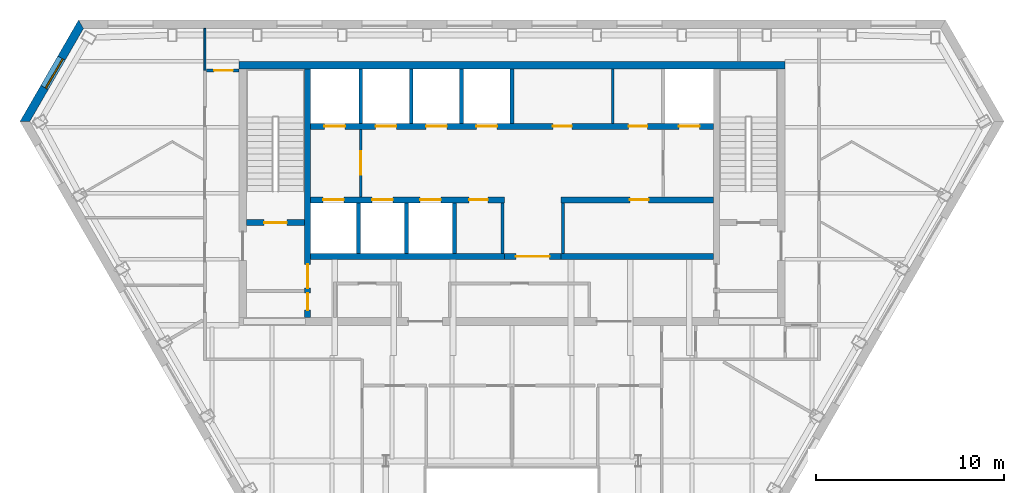
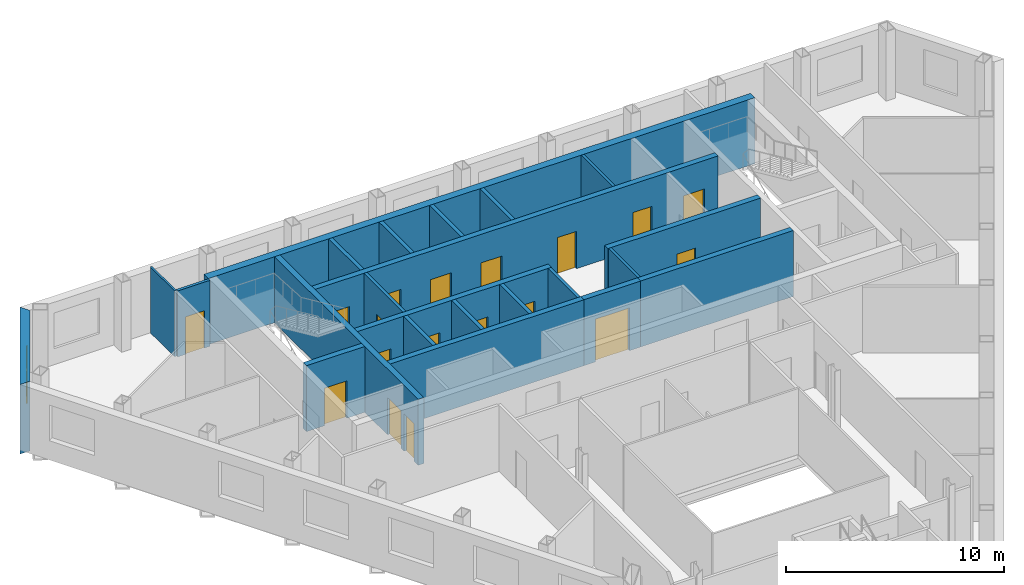
# One storey, part 6 of 10: 23 walls, 18 doors, 1 window, 19 openings.
"""IFC4 building model written with IfcOpenShell, lengths in metres."""

from ifc_helpers import new_model, si_unit, direction, frame, frame_2d, origin, place, context, subcontext, project, spatial, polyline, rectangle, outline, extrude, material, layer, layer_set, type_object, element, fill, save


model = new_model("IFC4")

# Units and contexts
model_context = context("Model", 3, precision=1e-05, world=origin(), true_north=direction((0.0, 1.0)))
body_context = subcontext(model_context, "Body", "Model", "MODEL_VIEW")
ifc_project = project(units=[si_unit("LENGTHUNIT", "METRE"), si_unit("AREAUNIT", "SQUARE_METRE"), si_unit("VOLUMEUNIT", "CUBIC_METRE"), si_unit("PLANEANGLEUNIT", "RADIAN"), si_unit("MASSUNIT", "GRAM", prefix="KILO")], contexts=[model_context])

# Site, building, storey
site_placement = place(None, origin())
site = spatial("IfcSite", under=ifc_project, at=site_placement, CompositionType="ELEMENT")
building_placement = place(site_placement, origin())
building = spatial("IfcBuilding", under=site, at=building_placement, Name="Njiva Tower", CompositionType="ELEMENT")
storey_placement = place(building_placement, frame((0.0, 0.0, 245.4)))
storey = spatial("IfcBuildingStorey", under=building, at=storey_placement, Name="L55", CompositionType="ELEMENT", Elevation=245.4)

# Walls
ifc_material_1 = material(Name="Blockwork", Category="masonry")
ifc_layer_1 = layer(ifc_material_1, 0.15)
ifc_layer_set_1 = layer_set([ifc_layer_1], Name="Blockwork")
wall_type_1 = type_object("IfcWallType", Name="WT1 Compartment partition 150", PredefinedType="PARTITIONING", material=ifc_layer_set_1)
wall_1_placement = place(storey_placement, frame((5.35, 14.7, 0.0), z_axis=(0.0, 0.0, 1.0), x_axis=(0.0, 1.0, 0.0)))
element("IfcWall", 1, at=wall_1_placement, inside=storey, type_object=wall_type_1, Name="Partition CN6", PredefinedType="PARTITIONING", context=body_context, shape_type="SweptSolid", body=[
    extrude(rectangle(XDim=2.9, YDim=0.15, at=frame_2d((1.45, 0.0))), origin(), (0.0, 0.0, 1.0), 3.7),
])
for number, where, z_axis, x_axis, name in (
    (2, (-0.5, 7.8, 0.0), (0.0, 0.0, 1.0), (0.0, 1.0, 0.0), "Partition CS4"),
    (3, (2.7, 7.8, 0.0), (0.0, 0.0, 1.0), (0.0, 1.0, 0.0), "Partition CS5"),
):
    element("IfcWall", number, at=place(storey_placement, frame(where, z_axis=z_axis, x_axis=x_axis)), inside=storey, type_object=wall_type_1, Name=name, PredefinedType="PARTITIONING", context=body_context, shape_type="SweptSolid", body=[
        extrude(rectangle(XDim=2.7, YDim=0.15, at=frame_2d((1.35, 0.0))), origin(), (0.0, 0.0, 1.0), 3.7),
    ])

# Wall, openings, doors
ifc_material_2 = material(Name="Concrete C40/50", Category="concrete")
ifc_layer_2 = layer(ifc_material_2, 0.3)
ifc_layer_set_2 = layer_set([ifc_layer_2], Name="Concrete C40/50")
wall_type_2 = type_object("IfcWallType", Name="WT10 Stair enclosure wall 300", PredefinedType="SHEAR", material=ifc_layer_set_2)
wall_2_placement = place(storey_placement, frame((-10.85, 4.4, 0.0), z_axis=(0.0, 0.0, 1.0), x_axis=(0.0, 1.0, 0.0)))
wall_2 = element("IfcWall", 4, at=wall_2_placement, inside=storey, type_object=wall_type_2, Name="Stair wall west inner", PredefinedType="SHEAR", context=body_context, shape_type="SweptSolid", body=[
    extrude(rectangle(XDim=13.2, YDim=0.3, at=frame_2d((6.6, 0.0))), origin(), (0.0, 0.0, 1.0), 3.7),
])
opening_1_placement = place(wall_2_placement, frame((1.575, 0.0, 0.0)))
opening_1 = element("IfcOpeningElement", 5, at=opening_1_placement, cuts=wall_2, Name="Opening S18-D915", PredefinedType="OPENING", context=body_context, shape_type="SweptSolid", body=[
    extrude(rectangle(XDim=1.25, YDim=2.1, at=frame_2d((0.625, 1.05))), frame((0.0, 0.16, 0.0), z_axis=(0.0, -1.0, 0.0), x_axis=(1.0, 0.0, 0.0)), (0.0, 0.0, 1.0), 0.32),
])
opening_2_placement = place(wall_2_placement, frame((0.4, 0.0, 0.0)))
opening_2 = element("IfcOpeningElement", 6, at=opening_2_placement, cuts=wall_2, Name="Opening S18-D917", PredefinedType="OPENING", context=body_context, shape_type="SweptSolid", body=[
    extrude(rectangle(XDim=0.9, YDim=2.1, at=frame_2d((0.45, 1.05))), frame((0.0, 0.16, 0.0), z_axis=(0.0, -1.0, 0.0), x_axis=(1.0, 0.0, 0.0)), (0.0, 0.0, 1.0), 0.32),
])
ifc_material_3 = material(Name="Steel door, painted", Category="steel")
door_type_1 = type_object("IfcDoorType", Name="D13 Steel door 900x2100", OperationType="SINGLE_SWING_LEFT", PredefinedType="DOOR", material=ifc_material_3)
door_1_placement = place(opening_2_placement, origin())
door_1 = element("IfcDoor", 7, at=door_1_placement, inside=storey, type_object=door_type_1, Name="Prayer room door", OperationType="SINGLE_SWING_RIGHT", OverallHeight=2.1, OverallWidth=0.9, PredefinedType="DOOR", context=body_context, shape_type="SweptSolid", body=[
    extrude(rectangle(XDim=0.9, YDim=2.1, at=frame_2d((0.45, 1.05))), frame((0.0, 0.025, 0.0), z_axis=(0.0, -1.0, 0.0), x_axis=(1.0, 0.0, 0.0)), (0.0, 0.0, 1.0), 0.05),
])
fill(opening_2, door_1)
ifc_material_4 = material(Name="Glazed steel fire door", Category="steel")
door_type_2 = type_object("IfcDoorType", Name="D8 Vestibule corridor door 1250x2100 glazed", OperationType="SINGLE_SWING_LEFT", PredefinedType="DOOR", material=ifc_material_4)
door_2_placement = place(opening_1_placement, origin())
door_2 = element("IfcDoor", 8, at=door_2_placement, inside=storey, type_object=door_type_2, Name="Stair vestibule corridor door", OperationType="SINGLE_SWING_LEFT", OverallHeight=2.1, OverallWidth=1.25, PredefinedType="DOOR", context=body_context, shape_type="SweptSolid", body=[
    extrude(rectangle(XDim=1.25, YDim=2.1, at=frame_2d((0.625, 1.05))), frame((0.0, 0.025, 0.0), z_axis=(0.0, -1.0, 0.0), x_axis=(1.0, 0.0, 0.0)), (0.0, 0.0, 1.0), 0.05),
])
fill(opening_1, door_2)

# Wall, opening, door
wall_3_placement = place(storey_placement, frame((-14.1, 9.45, 0.0), z_axis=(0.0, 0.0, 1.0), x_axis=(1.0, 0.0, 0.0)))
wall_3 = element("IfcWall", 9, at=wall_3_placement, inside=storey, type_object=wall_type_2, Name="Stair A south wall", PredefinedType="SHEAR", context=body_context, shape_type="SweptSolid", body=[
    extrude(rectangle(XDim=3.1, YDim=0.3, at=frame_2d((1.55, 0.0))), origin(), (0.0, 0.0, 1.0), 3.7),
])
opening_3_placement = place(wall_3_placement, frame((0.95, 0.0, 0.0)))
opening_3 = element("IfcOpeningElement", 10, at=opening_3_placement, cuts=wall_3, Name="Opening S18-D914", PredefinedType="OPENING", context=body_context, shape_type="SweptSolid", body=[
    extrude(rectangle(XDim=1.2, YDim=2.1, at=frame_2d((0.6, 1.05))), frame((0.0, 0.16, 0.0), z_axis=(0.0, -1.0, 0.0), x_axis=(1.0, 0.0, 0.0)), (0.0, 0.0, 1.0), 0.32),
])
door_type_3 = type_object("IfcDoorType", Name="D7 Stair vestibule door 1200x2100 glazed", OperationType="SINGLE_SWING_LEFT", PredefinedType="DOOR", material=ifc_material_4)
door_3_placement = place(opening_3_placement, origin())
door_3 = element("IfcDoor", 11, at=door_3_placement, inside=storey, type_object=door_type_3, Name="Stair A door", OperationType="SINGLE_SWING_LEFT", OverallHeight=2.1, OverallWidth=1.2, PredefinedType="DOOR", context=body_context, shape_type="SweptSolid", body=[
    extrude(rectangle(XDim=1.2, YDim=2.1, at=frame_2d((0.6, 1.05))), frame((0.0, 0.025, 0.0), z_axis=(0.0, -1.0, 0.0), x_axis=(1.0, 0.0, 0.0)), (0.0, 0.0, 1.0), 0.05),
])
fill(opening_3, door_3)

# Wall
ifc_material_5 = material(Name="Concrete C60/75", Category="concrete")
ifc_layer_3 = layer(ifc_material_5, 0.4)
ifc_layer_set_3 = layer_set([ifc_layer_3], Name="Concrete C60/75")
wall_type_3 = type_object("IfcWallType", Name="WT11 Core wall 400", PredefinedType="SHEAR", material=ifc_layer_set_3)
wall_4_placement = place(storey_placement, frame((-14.5, 17.8, 0.0), z_axis=(0.0, 0.0, 1.0), x_axis=(1.0, 0.0, 0.0)))
element("IfcWall", 12, at=wall_4_placement, inside=storey, type_object=wall_type_3, Name="Core wall north", PredefinedType="SHEAR", context=body_context, shape_type="SweptSolid", body=[
    extrude(rectangle(XDim=29.0, YDim=0.4, at=frame_2d((14.5, 0.0))), origin(), (0.0, 0.0, 1.0), 3.7),
])

# Wall, opening, door
ifc_layer_4 = layer(ifc_material_1, 0.15)
ifc_layer_set_4 = layer_set([ifc_layer_4], Name="Blockwork")
wall_type_4 = type_object("IfcWallType", Name="WT2 Lobby partition 150", PredefinedType="PARTITIONING", material=ifc_layer_set_4)
wall_5_placement = place(storey_placement, frame((-8.025, 10.8, 0.0), z_axis=(0.0, 0.0, 1.0), x_axis=(0.0, 1.0, 0.0)))
wall_5 = element("IfcWall", 13, at=wall_5_placement, inside=storey, type_object=wall_type_4, Name="Firefighting lobby wall A", PredefinedType="PARTITIONING", context=body_context, shape_type="SweptSolid", body=[
    extrude(rectangle(XDim=3.6, YDim=0.15, at=frame_2d((1.8, 0.0))), origin(), (0.0, 0.0, 1.0), 3.7),
])
opening_4_placement = place(wall_5_placement, frame((1.175, 0.0, 0.0)))
opening_4 = element("IfcOpeningElement", 14, at=opening_4_placement, cuts=wall_5, Name="Opening S18-D913", PredefinedType="OPENING", context=body_context, shape_type="SweptSolid", body=[
    extrude(rectangle(XDim=1.25, YDim=2.1, at=frame_2d((0.625, 1.05))), frame((0.0, 0.085, 0.0), z_axis=(0.0, -1.0, 0.0), x_axis=(1.0, 0.0, 0.0)), (0.0, 0.0, 1.0), 0.17),
])
door_4_placement = place(opening_4_placement, origin())
door_4 = element("IfcDoor", 15, at=door_4_placement, inside=storey, type_object=door_type_2, Name="Stair vestibule corridor door", OperationType="SINGLE_SWING_RIGHT", OverallHeight=2.1, OverallWidth=1.25, PredefinedType="DOOR", context=body_context, shape_type="SweptSolid", body=[
    extrude(rectangle(XDim=1.25, YDim=2.1, at=frame_2d((0.625, 1.05))), frame((0.0, 0.025, 0.0), z_axis=(0.0, -1.0, 0.0), x_axis=(1.0, 0.0, 0.0)), (0.0, 0.0, 1.0), 0.05),
])
fill(opening_4, door_4)

# Wall
ifc_material_6 = material(Name="Gypsum board on steel studs", Category="gypsum")
ifc_layer_5 = layer(ifc_material_6, 0.1)
ifc_layer_set_5 = layer_set([ifc_layer_5], Name="Gypsum board on steel studs")
wall_type_5 = type_object("IfcWallType", Name="WT20 Gypsum partition 100", PredefinedType="PARTITIONING", material=ifc_layer_set_5)
wall_6_placement = place(storey_placement, frame((-16.3, 17.531, 0.0), z_axis=(0.0, 0.0, 1.0), x_axis=(0.0, 1.0, 0.0)))
element("IfcWall", 16, at=wall_6_placement, inside=storey, type_object=wall_type_5, Name="Partition S18-P007", PredefinedType="PARTITIONING", context=body_context, shape_type="SweptSolid", body=[
    extrude(rectangle(XDim=2.219, YDim=0.1, at=frame_2d((1.1095, 0.0))), origin(), (0.0, 0.0, 1.0), 3.7),
])

# Wall, opening, door
ifc_layer_6 = layer(ifc_material_6, 0.15)
ifc_layer_set_6 = layer_set([ifc_layer_6], Name="Gypsum board on steel studs")
wall_type_6 = type_object("IfcWallType", Name="WT21 Compartment wall 150", PredefinedType="PARTITIONING", material=ifc_layer_set_6)
wall_7_placement = place(storey_placement, frame((-16.225, 17.519, 0.0), z_axis=(0.0, 0.0, 1.0), x_axis=(1.0, 0.0, 0.0)))
wall_7 = element("IfcWall", 17, at=wall_7_placement, inside=storey, type_object=wall_type_6, Name="Partition S18-P009", PredefinedType="PARTITIONING", context=body_context, shape_type="SweptSolid", body=[
    extrude(rectangle(XDim=1.725, YDim=0.15, at=frame_2d((0.8625, 0.0))), origin(), (0.0, 0.0, 1.0), 3.7),
])
opening_5_placement = place(wall_7_placement, frame((0.417, 0.0, 0.0)))
opening_5 = element("IfcOpeningElement", 18, at=opening_5_placement, cuts=wall_7, Name="Opening S18-D005", PredefinedType="OPENING", context=body_context, shape_type="SweptSolid", body=[
    extrude(rectangle(XDim=1.0, YDim=2.1, at=frame_2d((0.5, 1.05))), frame((0.0, 0.085, 0.0), z_axis=(0.0, -1.0, 0.0), x_axis=(1.0, 0.0, 0.0)), (0.0, 0.0, 1.0), 0.17),
])
ifc_material_7 = material(Name="Steel fire door set", Category="steel")
door_type_4 = type_object("IfcDoorType", Name="D37 Fire door 1000x2100", OperationType="SINGLE_SWING_LEFT", PredefinedType="DOOR", material=ifc_material_7)
door_5_placement = place(opening_5_placement, origin())
door_5 = element("IfcDoor", 19, at=door_5_placement, inside=storey, type_object=door_type_4, Name="Door S18-D005", OperationType="SINGLE_SWING_LEFT", OverallHeight=2.1, OverallWidth=1.0, PredefinedType="DOOR", context=body_context, shape_type="SweptSolid", body=[
    extrude(rectangle(XDim=1.0, YDim=2.1, at=frame_2d((0.5, 1.05))), frame((0.0, 0.025, 0.0), z_axis=(0.0, -1.0, 0.0), x_axis=(1.0, 0.0, 0.0)), (0.0, 0.0, 1.0), 0.05),
])
fill(opening_5, door_5)

ifc_layer_7 = layer(ifc_material_1, 0.3)
ifc_layer_set_7 = layer_set([ifc_layer_7], Name="Blockwork")
wall_type_7 = type_object("IfcWallType", Name="WT5 Lobby partition 300", PredefinedType="PARTITIONING", material=ifc_layer_set_7)
wall_8_placement = place(storey_placement, frame((-0.4, 7.65, 0.0), z_axis=(0.0, 0.0, 1.0), x_axis=(1.0, 0.0, 0.0)))
wall_8 = element("IfcWall", 20, at=wall_8_placement, inside=storey, type_object=wall_type_7, Name="Lift lobby screen wall", PredefinedType="PARTITIONING", context=body_context, shape_type="SweptSolid", body=[
    extrude(rectangle(XDim=3.0, YDim=0.3, at=frame_2d((1.5, 0.0))), origin(), (0.0, 0.0, 1.0), 3.7),
])
opening_6_placement = place(wall_8_placement, frame((0.6, 0.0, 0.0)))
opening_6 = element("IfcOpeningElement", 21, at=opening_6_placement, cuts=wall_8, Name="Opening S18-D925", PredefinedType="OPENING", context=body_context, shape_type="SweptSolid", body=[
    extrude(rectangle(XDim=1.8, YDim=2.4, at=frame_2d((0.9, 1.2))), frame((0.0, 0.16, 0.0), z_axis=(0.0, -1.0, 0.0), x_axis=(1.0, 0.0, 0.0)), (0.0, 0.0, 1.0), 0.32),
])
ifc_material_8 = material(Name="Steel and glass door", Category="steel")
door_type_5 = type_object("IfcDoorType", Name="D3 Core entrance door 1800x2400", OperationType="DOUBLE_DOOR_SINGLE_SWING", PredefinedType="DOOR", material=ifc_material_8)
door_6_placement = place(opening_6_placement, origin())
door_6 = element("IfcDoor", 22, at=door_6_placement, inside=storey, type_object=door_type_5, Name="Core entrance door", OperationType="DOUBLE_DOOR_SINGLE_SWING", OverallHeight=2.4, OverallWidth=1.8, PredefinedType="DOOR", context=body_context, shape_type="SweptSolid", body=[
    extrude(rectangle(XDim=1.8, YDim=2.4, at=frame_2d((0.9, 1.2))), frame((0.0, 0.025, 0.0), z_axis=(0.0, -1.0, 0.0), x_axis=(1.0, 0.0, 0.0)), (0.0, 0.0, 1.0), 0.05),
])
fill(opening_6, door_6)

# Walls
ifc_layer_8 = layer(ifc_material_2, 0.2)
ifc_layer_set_8 = layer_set([ifc_layer_8], Name="Concrete C40/50")
wall_type_8 = type_object("IfcWallType", Name="WT6 Lift shaft wall 200", PredefinedType="SHEAR", material=ifc_layer_set_8)
for number, where, z_axis, x_axis, name in (
    (23, (-8.025, 14.7, 0.0), (0.0, 0.0, 1.0), (0.0, 1.0, 0.0), "Shaft wall CN1"),
    (24, (-5.35, 14.7, 0.0), (0.0, 0.0, 1.0), (0.0, 1.0, 0.0), "Shaft wall CN2"),
    (25, (-2.675, 14.7, 0.0), (0.0, 0.0, 1.0), (0.0, 1.0, 0.0), "Shaft wall CN3"),
    (26, (0.0, 14.7, 0.0), (0.0, 0.0, 1.0), (0.0, 1.0, 0.0), "Shaft wall CN4"),
):
    element("IfcWall", number, at=place(storey_placement, frame(where, z_axis=z_axis, x_axis=x_axis)), inside=storey, type_object=wall_type_8, Name=name, PredefinedType="SHEAR", context=body_context, shape_type="SweptSolid", body=[
        extrude(rectangle(XDim=2.9, YDim=0.2, at=frame_2d((1.45, 0.0))), origin(), (0.0, 0.0, 1.0), 3.7),
    ])
for number, where, z_axis, x_axis, name in (
    (27, (-8.15, 7.8, 0.0), (0.0, 0.0, 1.0), (0.0, 1.0, 0.0), "Shaft wall CS1"),
    (28, (-5.6, 7.8, 0.0), (0.0, 0.0, 1.0), (0.0, 1.0, 0.0), "Shaft wall CS2"),
    (29, (-3.05, 7.8, 0.0), (0.0, 0.0, 1.0), (0.0, 1.0, 0.0), "Shaft wall CS3"),
):
    element("IfcWall", number, at=place(storey_placement, frame(where, z_axis=z_axis, x_axis=x_axis)), inside=storey, type_object=wall_type_8, Name=name, PredefinedType="SHEAR", context=body_context, shape_type="SweptSolid", body=[
        extrude(rectangle(XDim=2.7, YDim=0.2, at=frame_2d((1.35, 0.0))), origin(), (0.0, 0.0, 1.0), 3.7),
    ])

# Wall, openings, doors
ifc_layer_9 = layer(ifc_material_2, 0.3)
ifc_layer_set_9 = layer_set([ifc_layer_9], Name="Concrete C40/50")
wall_type_9 = type_object("IfcWallType", Name="WT7 Lift shaft wall 300", PredefinedType="SHEAR", material=ifc_layer_set_9)
wall_9_placement = place(storey_placement, frame((-10.7, 14.55, 0.0), z_axis=(0.0, 0.0, 1.0), x_axis=(1.0, 0.0, 0.0)))
wall_9 = element("IfcWall", 30, at=wall_9_placement, inside=storey, type_object=wall_type_9, Name="Shaft wall north row lobby side", PredefinedType="SHEAR", context=body_context, shape_type="SweptSolid", body=[
    extrude(rectangle(XDim=21.4, YDim=0.3, at=frame_2d((10.7, 0.0))), origin(), (0.0, 0.0, 1.0), 3.7),
])
opening_7_placement = place(wall_9_placement, frame((0.7375, 0.0, 0.0)))
opening_7 = element("IfcOpeningElement", 31, at=opening_7_placement, cuts=wall_9, Name="Opening S18-D901", PredefinedType="OPENING", context=body_context, shape_type="SweptSolid", body=[
    extrude(rectangle(XDim=1.1, YDim=2.1, at=frame_2d((0.55, 1.05))), frame((0.0, 0.16, 0.0), z_axis=(0.0, -1.0, 0.0), x_axis=(1.0, 0.0, 0.0)), (0.0, 0.0, 1.0), 0.32),
])
opening_8_placement = place(wall_9_placement, frame((3.4625, 0.0, 0.0)))
opening_8 = element("IfcOpeningElement", 32, at=opening_8_placement, cuts=wall_9, Name="Opening S18-D902", PredefinedType="OPENING", context=body_context, shape_type="SweptSolid", body=[
    extrude(rectangle(XDim=1.1, YDim=2.1, at=frame_2d((0.55, 1.05))), frame((0.0, 0.16, 0.0), z_axis=(0.0, -1.0, 0.0), x_axis=(1.0, 0.0, 0.0)), (0.0, 0.0, 1.0), 0.32),
])
opening_9_placement = place(wall_9_placement, frame((6.1375, 0.0, 0.0)))
opening_9 = element("IfcOpeningElement", 33, at=opening_9_placement, cuts=wall_9, Name="Opening S18-D903", PredefinedType="OPENING", context=body_context, shape_type="SweptSolid", body=[
    extrude(rectangle(XDim=1.1, YDim=2.1, at=frame_2d((0.55, 1.05))), frame((0.0, 0.16, 0.0), z_axis=(0.0, -1.0, 0.0), x_axis=(1.0, 0.0, 0.0)), (0.0, 0.0, 1.0), 0.32),
])
opening_10_placement = place(wall_9_placement, frame((8.8125, 0.0, 0.0)))
opening_10 = element("IfcOpeningElement", 34, at=opening_10_placement, cuts=wall_9, Name="Opening S18-D904", PredefinedType="OPENING", context=body_context, shape_type="SweptSolid", body=[
    extrude(rectangle(XDim=1.1, YDim=2.1, at=frame_2d((0.55, 1.05))), frame((0.0, 0.16, 0.0), z_axis=(0.0, -1.0, 0.0), x_axis=(1.0, 0.0, 0.0)), (0.0, 0.0, 1.0), 0.32),
])
opening_11_placement = place(wall_9_placement, frame((19.5625, 0.0, 0.0)))
opening_11 = element("IfcOpeningElement", 35, at=opening_11_placement, cuts=wall_9, Name="Opening S18-D905", PredefinedType="OPENING", context=body_context, shape_type="SweptSolid", body=[
    extrude(rectangle(XDim=1.1, YDim=2.1, at=frame_2d((0.55, 1.05))), frame((0.0, 0.16, 0.0), z_axis=(0.0, -1.0, 0.0), x_axis=(1.0, 0.0, 0.0)), (0.0, 0.0, 1.0), 0.32),
])
opening_12_placement = place(wall_9_placement, frame((12.875, 0.0, 0.0)))
opening_12 = element("IfcOpeningElement", 36, at=opening_12_placement, cuts=wall_9, Name="Opening S18-D909", PredefinedType="OPENING", context=body_context, shape_type="SweptSolid", body=[
    extrude(rectangle(XDim=1.0, YDim=2.1, at=frame_2d((0.5, 1.05))), frame((0.0, 0.16, 0.0), z_axis=(0.0, -1.0, 0.0), x_axis=(1.0, 0.0, 0.0)), (0.0, 0.0, 1.0), 0.32),
])
opening_13_placement = place(wall_9_placement, frame((16.8875, 0.0, 0.0)))
opening_13 = element("IfcOpeningElement", 37, at=opening_13_placement, cuts=wall_9, Name="Opening S18-D910", PredefinedType="OPENING", context=body_context, shape_type="SweptSolid", body=[
    extrude(rectangle(XDim=1.0, YDim=2.1, at=frame_2d((0.5, 1.05))), frame((0.0, 0.16, 0.0), z_axis=(0.0, -1.0, 0.0), x_axis=(1.0, 0.0, 0.0)), (0.0, 0.0, 1.0), 0.32),
])
door_type_6 = type_object("IfcDoorType", Name="D5 Steel door 1000x2100", OperationType="SINGLE_SWING_LEFT", PredefinedType="DOOR", material=ifc_material_3)
door_7_placement = place(opening_12_placement, origin())
door_7 = element("IfcDoor", 38, at=door_7_placement, inside=storey, type_object=door_type_6, Name="Breakout room door", OperationType="SINGLE_SWING_LEFT", OverallHeight=2.1, OverallWidth=1.0, PredefinedType="DOOR", context=body_context, shape_type="SweptSolid", body=[
    extrude(rectangle(XDim=1.0, YDim=2.1, at=frame_2d((0.5, 1.05))), frame((0.0, 0.025, 0.0), z_axis=(0.0, -1.0, 0.0), x_axis=(1.0, 0.0, 0.0)), (0.0, 0.0, 1.0), 0.05),
])
fill(opening_12, door_7)
door_8_placement = place(opening_13_placement, origin())
door_8 = element("IfcDoor", 39, at=door_8_placement, inside=storey, type_object=door_type_6, Name="Quiet room door", OperationType="SINGLE_SWING_LEFT", OverallHeight=2.1, OverallWidth=1.0, PredefinedType="DOOR", context=body_context, shape_type="SweptSolid", body=[
    extrude(rectangle(XDim=1.0, YDim=2.1, at=frame_2d((0.5, 1.05))), frame((0.0, 0.025, 0.0), z_axis=(0.0, -1.0, 0.0), x_axis=(1.0, 0.0, 0.0)), (0.0, 0.0, 1.0), 0.05),
])
fill(opening_13, door_8)
ifc_material_9 = material(Name="Stainless steel sliding door", Category="steel")
door_type_7 = type_object("IfcDoorType", Name="LD Lift landing door 1100x2100", OperationType="SLIDING_TO_LEFT", PredefinedType="DOOR", material=ifc_material_9)
door_9_placement = place(opening_7_placement, origin())
door_9 = element("IfcDoor", 40, at=door_9_placement, inside=storey, type_object=door_type_7, Name="Lift landing door FF1", OperationType="SLIDING_TO_LEFT", OverallHeight=2.1, OverallWidth=1.1, PredefinedType="DOOR", context=body_context, shape_type="SweptSolid", body=[
    extrude(rectangle(XDim=1.1, YDim=2.1, at=frame_2d((0.55, 1.05))), frame((0.0, 0.025, 0.0), z_axis=(0.0, -1.0, 0.0), x_axis=(1.0, 0.0, 0.0)), (0.0, 0.0, 1.0), 0.05),
])
fill(opening_7, door_9)
door_10_placement = place(opening_8_placement, origin())
door_10 = element("IfcDoor", 41, at=door_10_placement, inside=storey, type_object=door_type_7, Name="Lift landing door HB4", OperationType="SLIDING_TO_LEFT", OverallHeight=2.1, OverallWidth=1.1, PredefinedType="DOOR", context=body_context, shape_type="SweptSolid", body=[
    extrude(rectangle(XDim=1.1, YDim=2.1, at=frame_2d((0.55, 1.05))), frame((0.0, 0.025, 0.0), z_axis=(0.0, -1.0, 0.0), x_axis=(1.0, 0.0, 0.0)), (0.0, 0.0, 1.0), 0.05),
])
fill(opening_8, door_10)
door_11_placement = place(opening_9_placement, origin())
door_11 = element("IfcDoor", 42, at=door_11_placement, inside=storey, type_object=door_type_7, Name="Lift landing door HB5", OperationType="SLIDING_TO_LEFT", OverallHeight=2.1, OverallWidth=1.1, PredefinedType="DOOR", context=body_context, shape_type="SweptSolid", body=[
    extrude(rectangle(XDim=1.1, YDim=2.1, at=frame_2d((0.55, 1.05))), frame((0.0, 0.025, 0.0), z_axis=(0.0, -1.0, 0.0), x_axis=(1.0, 0.0, 0.0)), (0.0, 0.0, 1.0), 0.05),
])
fill(opening_9, door_11)
door_12_placement = place(opening_10_placement, origin())
door_12 = element("IfcDoor", 43, at=door_12_placement, inside=storey, type_object=door_type_7, Name="Lift landing door HB6", OperationType="SLIDING_TO_LEFT", OverallHeight=2.1, OverallWidth=1.1, PredefinedType="DOOR", context=body_context, shape_type="SweptSolid", body=[
    extrude(rectangle(XDim=1.1, YDim=2.1, at=frame_2d((0.55, 1.05))), frame((0.0, 0.025, 0.0), z_axis=(0.0, -1.0, 0.0), x_axis=(1.0, 0.0, 0.0)), (0.0, 0.0, 1.0), 0.05),
])
fill(opening_10, door_12)
door_13_placement = place(opening_11_placement, origin())
door_13 = element("IfcDoor", 44, at=door_13_placement, inside=storey, type_object=door_type_7, Name="Lift landing door FF2", OperationType="SLIDING_TO_LEFT", OverallHeight=2.1, OverallWidth=1.1, PredefinedType="DOOR", context=body_context, shape_type="SweptSolid", body=[
    extrude(rectangle(XDim=1.1, YDim=2.1, at=frame_2d((0.55, 1.05))), frame((0.0, 0.025, 0.0), z_axis=(0.0, -1.0, 0.0), x_axis=(1.0, 0.0, 0.0)), (0.0, 0.0, 1.0), 0.05),
])
fill(opening_11, door_13)

wall_10_placement = place(storey_placement, frame((-10.7, 10.65, 0.0), z_axis=(0.0, 0.0, 1.0), x_axis=(1.0, 0.0, 0.0)))
wall_10 = element("IfcWall", 45, at=wall_10_placement, inside=storey, type_object=wall_type_9, Name="Shaft wall south row lobby side W", PredefinedType="SHEAR", context=body_context, shape_type="SweptSolid", body=[
    extrude(rectangle(XDim=10.3, YDim=0.3, at=frame_2d((5.15, 0.0))), origin(), (0.0, 0.0, 1.0), 3.7),
])
opening_14_placement = place(wall_10_placement, frame((0.675, 0.0, 0.0)))
opening_14 = element("IfcOpeningElement", 46, at=opening_14_placement, cuts=wall_10, Name="Opening S18-D906", PredefinedType="OPENING", context=body_context, shape_type="SweptSolid", body=[
    extrude(rectangle(XDim=1.1, YDim=2.1, at=frame_2d((0.55, 1.05))), frame((0.0, 0.16, 0.0), z_axis=(0.0, -1.0, 0.0), x_axis=(1.0, 0.0, 0.0)), (0.0, 0.0, 1.0), 0.32),
])
opening_15_placement = place(wall_10_placement, frame((3.275, 0.0, 0.0)))
opening_15 = element("IfcOpeningElement", 47, at=opening_15_placement, cuts=wall_10, Name="Opening S18-D907", PredefinedType="OPENING", context=body_context, shape_type="SweptSolid", body=[
    extrude(rectangle(XDim=1.1, YDim=2.1, at=frame_2d((0.55, 1.05))), frame((0.0, 0.16, 0.0), z_axis=(0.0, -1.0, 0.0), x_axis=(1.0, 0.0, 0.0)), (0.0, 0.0, 1.0), 0.32),
])
opening_16_placement = place(wall_10_placement, frame((5.825, 0.0, 0.0)))
opening_16 = element("IfcOpeningElement", 48, at=opening_16_placement, cuts=wall_10, Name="Opening S18-D908", PredefinedType="OPENING", context=body_context, shape_type="SweptSolid", body=[
    extrude(rectangle(XDim=1.1, YDim=2.1, at=frame_2d((0.55, 1.05))), frame((0.0, 0.16, 0.0), z_axis=(0.0, -1.0, 0.0), x_axis=(1.0, 0.0, 0.0)), (0.0, 0.0, 1.0), 0.32),
])
opening_17_placement = place(wall_10_placement, frame((8.425, 0.0, 0.0)))
opening_17 = element("IfcOpeningElement", 49, at=opening_17_placement, cuts=wall_10, Name="Opening S18-D911", PredefinedType="OPENING", context=body_context, shape_type="SweptSolid", body=[
    extrude(rectangle(XDim=1.0, YDim=2.1, at=frame_2d((0.5, 1.05))), frame((0.0, 0.16, 0.0), z_axis=(0.0, -1.0, 0.0), x_axis=(1.0, 0.0, 0.0)), (0.0, 0.0, 1.0), 0.32),
])
door_14_placement = place(opening_17_placement, origin())
door_14 = element("IfcDoor", 50, at=door_14_placement, inside=storey, type_object=door_type_6, Name="Reading room door", OperationType="SINGLE_SWING_RIGHT", OverallHeight=2.1, OverallWidth=1.0, PredefinedType="DOOR", context=body_context, shape_type="SweptSolid", body=[
    extrude(rectangle(XDim=1.0, YDim=2.1, at=frame_2d((0.5, 1.05))), frame((0.0, 0.025, 0.0), z_axis=(0.0, -1.0, 0.0), x_axis=(1.0, 0.0, 0.0)), (0.0, 0.0, 1.0), 0.05),
])
fill(opening_17, door_14)
door_15_placement = place(opening_14_placement, origin())
door_15 = element("IfcDoor", 51, at=door_15_placement, inside=storey, type_object=door_type_7, Name="Lift landing door HB1", OperationType="SLIDING_TO_LEFT", OverallHeight=2.1, OverallWidth=1.1, PredefinedType="DOOR", context=body_context, shape_type="SweptSolid", body=[
    extrude(rectangle(XDim=1.1, YDim=2.1, at=frame_2d((0.55, 1.05))), frame((0.0, 0.025, 0.0), z_axis=(0.0, -1.0, 0.0), x_axis=(1.0, 0.0, 0.0)), (0.0, 0.0, 1.0), 0.05),
])
fill(opening_14, door_15)
door_16_placement = place(opening_15_placement, origin())
door_16 = element("IfcDoor", 52, at=door_16_placement, inside=storey, type_object=door_type_7, Name="Lift landing door HB2", OperationType="SLIDING_TO_LEFT", OverallHeight=2.1, OverallWidth=1.1, PredefinedType="DOOR", context=body_context, shape_type="SweptSolid", body=[
    extrude(rectangle(XDim=1.1, YDim=2.1, at=frame_2d((0.55, 1.05))), frame((0.0, 0.025, 0.0), z_axis=(0.0, -1.0, 0.0), x_axis=(1.0, 0.0, 0.0)), (0.0, 0.0, 1.0), 0.05),
])
fill(opening_15, door_16)
door_17_placement = place(opening_16_placement, origin())
door_17 = element("IfcDoor", 53, at=door_17_placement, inside=storey, type_object=door_type_7, Name="Lift landing door HB3", OperationType="SLIDING_TO_LEFT", OverallHeight=2.1, OverallWidth=1.1, PredefinedType="DOOR", context=body_context, shape_type="SweptSolid", body=[
    extrude(rectangle(XDim=1.1, YDim=2.1, at=frame_2d((0.55, 1.05))), frame((0.0, 0.025, 0.0), z_axis=(0.0, -1.0, 0.0), x_axis=(1.0, 0.0, 0.0)), (0.0, 0.0, 1.0), 0.05),
])
fill(opening_16, door_17)

# Wall
wall_11_placement = place(storey_placement, frame((-10.7, 7.65, 0.0), z_axis=(0.0, 0.0, 1.0), x_axis=(1.0, 0.0, 0.0)))
element("IfcWall", 54, at=wall_11_placement, inside=storey, type_object=wall_type_9, Name="Shaft wall south row back W", PredefinedType="SHEAR", context=body_context, shape_type="SweptSolid", body=[
    extrude(rectangle(XDim=10.3, YDim=0.3, at=frame_2d((5.15, 0.0))), origin(), (0.0, 0.0, 1.0), 3.7),
])

# Wall, opening, door
wall_12_placement = place(storey_placement, frame((2.6, 10.65, 0.0), z_axis=(0.0, 0.0, 1.0), x_axis=(1.0, 0.0, 0.0)))
wall_12 = element("IfcWall", 55, at=wall_12_placement, inside=storey, type_object=wall_type_9, Name="Shaft wall south row lobby side E", PredefinedType="SHEAR", context=body_context, shape_type="SweptSolid", body=[
    extrude(rectangle(XDim=8.1, YDim=0.3, at=frame_2d((4.05, 0.0))), origin(), (0.0, 0.0, 1.0), 3.7),
])
opening_18_placement = place(wall_12_placement, frame((3.65, 0.0, 0.0)))
opening_18 = element("IfcOpeningElement", 56, at=opening_18_placement, cuts=wall_12, Name="Opening S18-D912", PredefinedType="OPENING", context=body_context, shape_type="SweptSolid", body=[
    extrude(rectangle(XDim=1.0, YDim=2.1, at=frame_2d((0.5, 1.05))), frame((0.0, 0.16, 0.0), z_axis=(0.0, -1.0, 0.0), x_axis=(1.0, 0.0, 0.0)), (0.0, 0.0, 1.0), 0.32),
])
door_18_placement = place(opening_18_placement, origin())
door_18 = element("IfcDoor", 57, at=door_18_placement, inside=storey, type_object=door_type_6, Name="Telecoms room door", OperationType="SINGLE_SWING_RIGHT", OverallHeight=2.1, OverallWidth=1.0, PredefinedType="DOOR", context=body_context, shape_type="SweptSolid", body=[
    extrude(rectangle(XDim=1.0, YDim=2.1, at=frame_2d((0.5, 1.05))), frame((0.0, 0.025, 0.0), z_axis=(0.0, -1.0, 0.0), x_axis=(1.0, 0.0, 0.0)), (0.0, 0.0, 1.0), 0.05),
])
fill(opening_18, door_18)

# Wall
wall_13_placement = place(storey_placement, frame((2.6, 7.65, 0.0), z_axis=(0.0, 0.0, 1.0), x_axis=(1.0, 0.0, 0.0)))
element("IfcWall", 58, at=wall_13_placement, inside=storey, type_object=wall_type_9, Name="Shaft wall south row back E", PredefinedType="SHEAR", context=body_context, shape_type="SweptSolid", body=[
    extrude(rectangle(XDim=8.1, YDim=0.3, at=frame_2d((4.05, 0.0))), origin(), (0.0, 0.0, 1.0), 3.7),
])

# Wall, opening, window
ifc_material_10 = material(Name="Brick masonry, buff", Category="masonry")
ifc_layer_10 = layer(ifc_material_10, 0.45)
ifc_layer_set_10 = layer_set([ifc_layer_10], Name="Brick masonry, buff")
wall_type_10 = type_object("IfcWallType", Name="WT94 Brick pier and spandrel wall 450, buff", PredefinedType="SOLIDWALL", material=ifc_layer_set_10)
wall_14_placement = place(storey_placement, frame((-22.8713, 19.9728, -0.4), z_axis=(0.0, 0.0, 1.0), x_axis=(-0.500001772576, -0.866024380385, 0.0)))
wall_14 = element("IfcWall", 59, at=wall_14_placement, inside=storey, type_object=wall_type_10, Name="Facade wall NW", PredefinedType="SOLIDWALL", context=body_context, shape_type="SweptSolid", body=[
    extrude(outline(polyline([(-0.1299, -0.225), (6.0801, -0.225), (5.8203, 0.225), (0.1299, 0.225), (-0.1299, -0.225)])), origin(), (0.0, 0.0, 1.0), 3.9),
])
opening_19_placement = place(wall_14_placement, frame((2.0751, 0.0, 1.3)))
opening_19 = element("IfcOpeningElement", 60, at=opening_19_placement, cuts=wall_14, Name="Opening S18-W08", PredefinedType="OPENING", context=body_context, shape_type="SweptSolid", body=[
    extrude(rectangle(XDim=1.8, YDim=2.0, at=frame_2d((0.9, 1.0))), frame((0.0, 0.235, 0.0), z_axis=(0.0, -1.0, 0.0), x_axis=(1.0, 0.0, 0.0)), (0.0, 0.0, 1.0), 0.47),
])
ifc_material_11 = material(Name="Clear glazing in aluminium frame", Category="aluminium")
window_type = type_object("IfcWindowType", Name="W94 Deep-set window 1800x2000", PartitioningType="SINGLE_PANEL", PredefinedType="WINDOW", material=ifc_material_11)
window_placement = place(opening_19_placement, origin())
window = element("IfcWindow", 61, at=window_placement, inside=storey, type_object=window_type, Name="Window", OverallHeight=2.0, OverallWidth=1.8, PartitioningType="SINGLE_PANEL", PredefinedType="WINDOW", context=body_context, shape_type="SweptSolid", body=[
    extrude(rectangle(XDim=1.8, YDim=2.0, at=frame_2d((0.9, 1.0))), frame((0.0, 0.105, 0.0), z_axis=(0.0, -1.0, 0.0), x_axis=(1.0, 0.0, 0.0)), (0.0, 0.0, 1.0), 0.06),
])
fill(opening_19, window)

save(model, "model.ifc")
